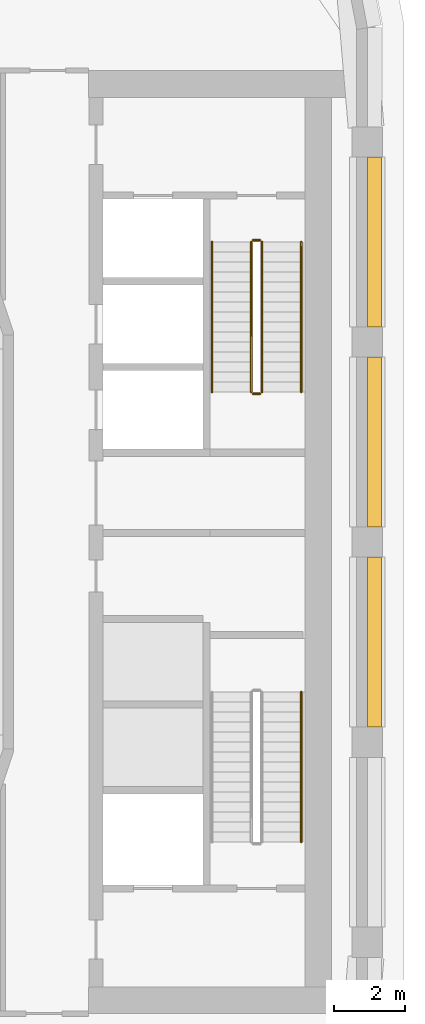
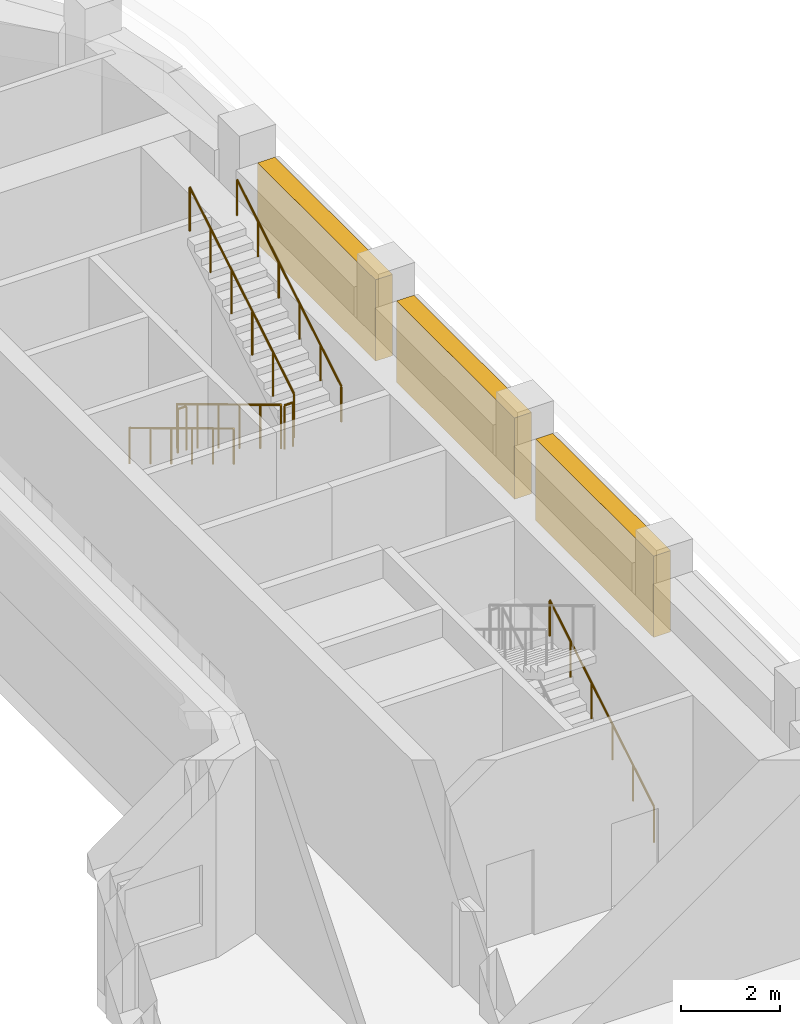
# One storey, part 12 of 13: 7 railings, 3 coverings.
"""IFC4 building model written with IfcOpenShell, lengths in metres."""

from ifc_helpers import new_model, si_unit, direction, frame, origin, origin_2d, place, context, subcontext, project, spatial, rectangle, circle, extrude, material, type_object, element, save


model = new_model("IFC4")

# Units and contexts
model_context = context("Model", 3, precision=1e-05, world=origin(), true_north=direction((0.0, 1.0)))
body_context = subcontext(model_context, "Body", "Model", "MODEL_VIEW")
ifc_project = project(units=[si_unit("LENGTHUNIT", "METRE"), si_unit("AREAUNIT", "SQUARE_METRE"), si_unit("VOLUMEUNIT", "CUBIC_METRE"), si_unit("PLANEANGLEUNIT", "RADIAN"), si_unit("MASSUNIT", "GRAM", prefix="KILO")], contexts=[model_context])

# Site, building, storey
site_placement = place(None, origin())
site = spatial("IfcSite", under=ifc_project, at=site_placement, CompositionType="ELEMENT")
building_placement = place(site_placement, origin())
building = spatial("IfcBuilding", under=site, at=building_placement, Name="Kiln Ring Residences", CompositionType="ELEMENT")
storey_placement = place(building_placement, frame((0.0, 0.0, 236.300048828125)))
storey = spatial("IfcBuildingStorey", under=building, at=storey_placement, Name="L61", CompositionType="ELEMENT", Elevation=236.300048828125)

# Railings
ifc_material_1 = material(Name="Stainless steel", Category="steel")
railing_type_1 = type_object("IfcRailingType", Name="CORE-STAIR-GUARD", PredefinedType="GUARDRAIL", material=ifc_material_1)
railing_1_placement = place(storey_placement, frame((21.949951171875, 8.39990234375, 0.168701171875)))
element("IfcRailing", 1, at=railing_1_placement, inside=storey, type_object=railing_type_1, Name="L61 E-STN stair guard 1", PredefinedType="GUARDRAIL", context=body_context, shape_type="SweptSolid", body=[
    extrude(circle(Radius=0.02392578125, at=origin_2d()), frame((0.0, 0.0, 1.076171875), z_axis=(0.0, -0.856476492594, 0.516186030065), x_axis=(1.0, 0.0, 0.0)), (0.0, 0.0, 1.0), 4.90380859375),
    extrude(circle(Radius=0.02099609375, at=origin_2d()), origin(), (0.0, 0.0, 1.0), 1.052001953125),
    extrude(circle(Radius=0.02099609375, at=origin_2d()), frame((0.0, -0.840087890625, 0.50634765625)), (0.0, 0.0, 1.0), 1.052001953125),
    extrude(circle(Radius=0.02099609375, at=origin_2d()), frame((0.0, -1.679931640625, 1.012451171875)), (0.0, 0.0, 1.0), 1.052001953125),
    extrude(circle(Radius=0.02099609375, at=origin_2d()), frame((0.0, -2.52001953125, 1.518798828125)), (0.0, 0.0, 1.0), 1.052001953125),
    extrude(circle(Radius=0.02099609375, at=origin_2d()), frame((0.0, -3.35986328125, 2.02490234375)), (0.0, 0.0, 1.0), 1.052001953125),
    extrude(circle(Radius=0.02099609375, at=origin_2d()), frame((0.0, -4.199951171875, 2.53125)), (0.0, 0.0, 1.0), 1.052001953125),
])
railing_2_placement = place(storey_placement, frame((22.0, 4.14990234375, 2.699951171875)))
element("IfcRailing", 2, at=railing_2_placement, inside=storey, type_object=railing_type_1, Name="L61 E-STN stair guard 2", PredefinedType="GUARDRAIL", context=body_context, shape_type="SweptSolid", body=[
    extrude(circle(Radius=0.02392578125, at=origin_2d()), frame((0.0, 0.0, 1.076171875), z_axis=(1.0, 0.0, 0.0), x_axis=(0.0, 1.0, 0.0)), (0.0, 0.0, 1.0), 0.199951171875),
    extrude(circle(Radius=0.02099609375, at=origin_2d()), origin(), (0.0, 0.0, 1.0), 1.052001953125),
    extrude(circle(Radius=0.02099609375, at=origin_2d()), frame((0.199951171875, 0.0, 0.0)), (0.0, 0.0, 1.0), 1.052001953125),
])
railing_3_placement = place(storey_placement, frame((22.25, 4.199951171875, 2.86865234375)))
element("IfcRailing", 3, at=railing_3_placement, inside=storey, type_object=railing_type_1, Name="L61 E-STN stair guard 3", PredefinedType="GUARDRAIL", context=body_context, shape_type="SweptSolid", body=[
    extrude(circle(Radius=0.02392578125, at=origin_2d()), frame((0.0, 0.0, 1.076171875), z_axis=(0.0, 0.856476492594, 0.516186030065), x_axis=(-1.0, 0.0, 0.0)), (0.0, 0.0, 1.0), 4.90380859375),
    extrude(circle(Radius=0.02099609375, at=origin_2d()), origin(), (0.0, 0.0, 1.0), 1.052001953125),
    extrude(circle(Radius=0.02099609375, at=origin_2d()), frame((0.0, 0.840087890625, 0.50634765625)), (0.0, 0.0, 1.0), 1.052001953125),
    extrude(circle(Radius=0.02099609375, at=origin_2d()), frame((0.0, 1.679931640625, 1.012451171875)), (0.0, 0.0, 1.0), 1.052001953125),
    extrude(circle(Radius=0.02099609375, at=origin_2d()), frame((0.0, 2.52001953125, 1.518798828125)), (0.0, 0.0, 1.0), 1.052001953125),
    extrude(circle(Radius=0.02099609375, at=origin_2d()), frame((0.0, 3.35986328125, 2.02490234375)), (0.0, 0.0, 1.0), 1.052001953125),
    extrude(circle(Radius=0.02099609375, at=origin_2d()), frame((0.0, 4.199951171875, 2.53125)), (0.0, 0.0, 1.0), 1.052001953125),
])
railing_4_placement = place(storey_placement, frame((22.0, 8.449951171875, 0.0)))
element("IfcRailing", 4, at=railing_4_placement, inside=storey, type_object=railing_type_1, Name="L61 E-STN stair guard 4", PredefinedType="GUARDRAIL", context=body_context, shape_type="SweptSolid", body=[
    extrude(circle(Radius=0.02392578125, at=origin_2d()), frame((0.0, 0.0, 1.076171875), z_axis=(1.0, 0.0, 0.0), x_axis=(0.0, 1.0, 0.0)), (0.0, 0.0, 1.0), 0.199951171875),
    extrude(circle(Radius=0.02099609375, at=origin_2d()), origin(), (0.0, 0.0, 1.0), 1.052001953125),
    extrude(circle(Radius=0.02099609375, at=origin_2d()), frame((0.199951171875, 0.0, 0.0)), (0.0, 0.0, 1.0), 1.052001953125),
])
ifc_material_2 = material(Name="Stainless steel", Category="steel")
railing_type_2 = type_object("IfcRailingType", Name="CORE-STAIR-HANDRAIL", PredefinedType="HANDRAIL", material=ifc_material_2)
railing_5_placement = place(storey_placement, frame((20.85009765625, 8.39990234375, 0.168701171875)))
element("IfcRailing", 5, at=railing_5_placement, inside=storey, type_object=railing_type_2, Name="L61 E-STN stair handrail 1", PredefinedType="HANDRAIL", context=body_context, shape_type="SweptSolid", body=[
    extrude(circle(Radius=0.02392578125, at=origin_2d()), frame((0.0, 0.0, 0.8759765625), z_axis=(0.0, -0.856476492594, 0.516186030065), x_axis=(1.0, 0.0, 0.0)), (0.0, 0.0, 1.0), 4.90380859375),
    extrude(circle(Radius=0.02099609375, at=origin_2d()), origin(), (0.0, 0.0, 1.0), 0.851806640625),
    extrude(circle(Radius=0.02099609375, at=origin_2d()), frame((0.0, -0.840087890625, 0.50634765625)), (0.0, 0.0, 1.0), 0.851806640625),
    extrude(circle(Radius=0.02099609375, at=origin_2d()), frame((0.0, -1.679931640625, 1.012451171875)), (0.0, 0.0, 1.0), 0.851806640625),
    extrude(circle(Radius=0.02099609375, at=origin_2d()), frame((0.0, -2.52001953125, 1.518798828125)), (0.0, 0.0, 1.0), 0.851806640625),
    extrude(circle(Radius=0.02099609375, at=origin_2d()), frame((0.0, -3.35986328125, 2.02490234375)), (0.0, 0.0, 1.0), 0.851806640625),
    extrude(circle(Radius=0.02099609375, at=origin_2d()), frame((0.0, -4.199951171875, 2.53125)), (0.0, 0.0, 1.0), 0.851806640625),
])
for number, where, name in (
    (6, (23.35009765625, 4.199951171875, 2.86865234375), "L61 E-STN stair handrail 2"),
    (7, (23.35009765625, -8.39990234375, 0.168701171875), "L61 E-STS stair handrail 1"),
):
    element("IfcRailing", number, at=place(storey_placement, frame(where)), inside=storey, type_object=railing_type_2, Name=name, PredefinedType="HANDRAIL", context=body_context, shape_type="SweptSolid", body=[
        extrude(circle(Radius=0.02392578125, at=origin_2d()), frame((0.0, 0.0, 0.8759765625), z_axis=(0.0, 0.856476492594, 0.516186030065), x_axis=(-1.0, 0.0, 0.0)), (0.0, 0.0, 1.0), 4.90380859375),
        extrude(circle(Radius=0.02099609375, at=origin_2d()), origin(), (0.0, 0.0, 1.0), 0.851806640625),
        extrude(circle(Radius=0.02099609375, at=origin_2d()), frame((0.0, 0.840087890625, 0.50634765625)), (0.0, 0.0, 1.0), 0.851806640625),
        extrude(circle(Radius=0.02099609375, at=origin_2d()), frame((0.0, 1.679931640625, 1.012451171875)), (0.0, 0.0, 1.0), 0.851806640625),
        extrude(circle(Radius=0.02099609375, at=origin_2d()), frame((0.0, 2.52001953125, 1.518798828125)), (0.0, 0.0, 1.0), 0.851806640625),
        extrude(circle(Radius=0.02099609375, at=origin_2d()), frame((0.0, 3.35986328125, 2.02490234375)), (0.0, 0.0, 1.0), 0.851806640625),
        extrude(circle(Radius=0.02099609375, at=origin_2d()), frame((0.0, 4.199951171875, 2.53125)), (0.0, 0.0, 1.0), 0.851806640625),
    ])

# Coverings
ifc_material_3 = material(Name="Concrete C35/45, exposed aggregate finish", Category="concrete")
covering_type = type_object("IfcCoveringType", Name="TIE BAND 2000 x 400", PredefinedType="CLADDING", material=ifc_material_3)
for number, where, z_axis, x_axis, name in (
    (8, (25.39990234375, -2.800048828125, 2.599853515625), (0.0, 0.0, 1.0), (0.0, 1.0, 0.0), "TIE BAND L61"),
    (9, (25.39990234375, 2.800048828125, 2.599853515625), (0.0, 0.0, 1.0), (0.0, 1.0, 0.0), "TIE BAND L61"),
    (10, (25.39990234375, 8.39990234375, 2.599853515625), (0.0, 0.0, 1.0), (0.0, 1.0, 0.0), "TIE BAND L61"),
):
    element("IfcCovering", number, at=place(storey_placement, frame(where, z_axis=z_axis, x_axis=x_axis)), inside=storey, type_object=covering_type, Name=name, PredefinedType="CLADDING", context=body_context, shape_type="SweptSolid", body=[
        extrude(rectangle(XDim=4.75, YDim=0.39990234375, at=origin_2d()), origin(), (0.0, 0.0, 1.0), 2.0),
    ])

save(model, "model.ifc")
